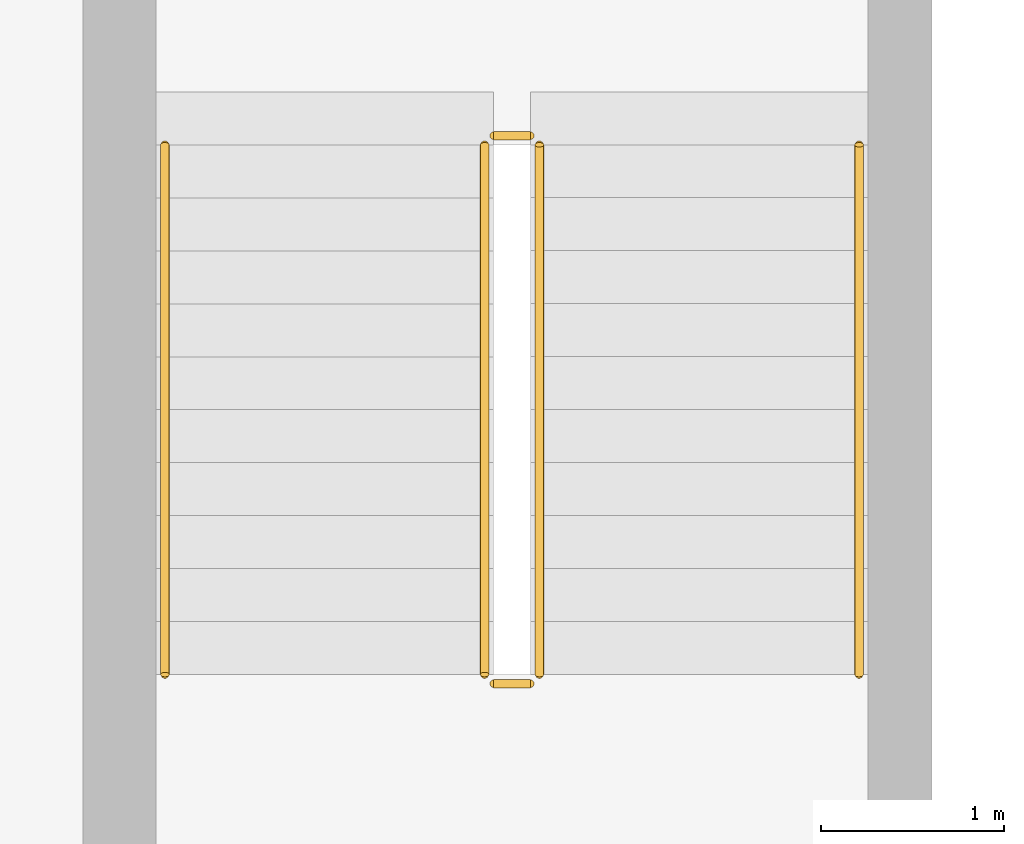
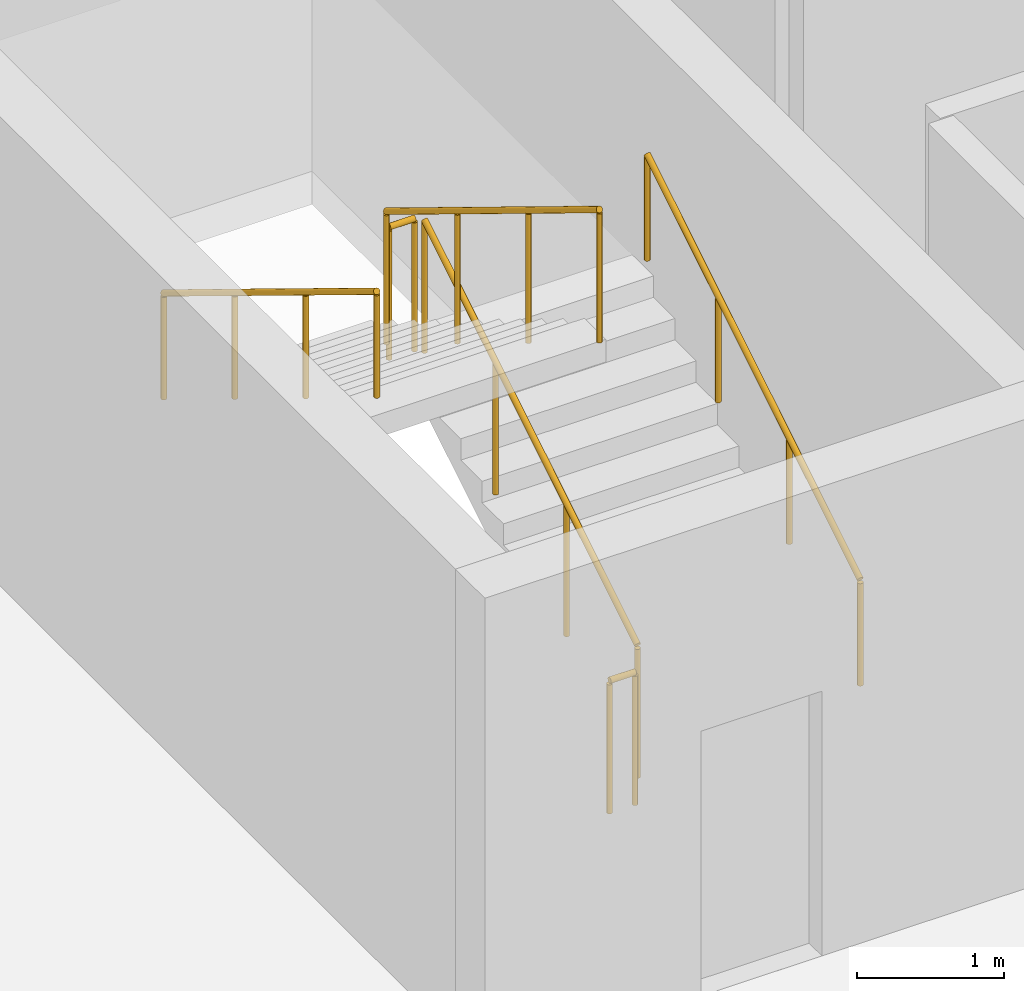
# One storey, part 44 of 46: 6 railings.
"""IFC4 building model written with IfcOpenShell, lengths in metres."""

from ifc_helpers import new_model, si_unit, direction, frame, origin, origin_2d, place, context, subcontext, project, spatial, circle, extrude, material, type_object, element, save


model = new_model("IFC4")

# Units and contexts
model_context = context("Model", 3, precision=1e-05, world=origin(), true_north=direction((0.0, 1.0)))
body_context = subcontext(model_context, "Body", "Model", "MODEL_VIEW")
ifc_project = project(units=[si_unit("LENGTHUNIT", "METRE"), si_unit("AREAUNIT", "SQUARE_METRE"), si_unit("VOLUMEUNIT", "CUBIC_METRE"), si_unit("PLANEANGLEUNIT", "RADIAN"), si_unit("MASSUNIT", "GRAM", prefix="KILO")], contexts=[model_context])

# Site, building, storey
site_placement = place(None, origin())
site = spatial("IfcSite", under=ifc_project, at=site_placement, CompositionType="ELEMENT")
building_placement = place(site_placement, origin())
building = spatial("IfcBuilding", under=site, at=building_placement, Name="Sollismere Congress Hotel", CompositionType="ELEMENT")
storey_placement = place(building_placement, frame((0.0, 0.0, 19.5)))
storey = spatial("IfcBuildingStorey", under=building, at=storey_placement, Name="L04", CompositionType="ELEMENT", Elevation=19.5)

# Railings
ifc_material_1 = material(Name="Steel ASTM A500 Grade C", Category="steel")
railing_type_1 = type_object("IfcRailingType", Name="RL-GRD112", PredefinedType="GUARDRAIL", material=ifc_material_1)
railing_1_placement = place(storey_placement, frame((78.699951171875, 78.449951171875, 0.17724609375)))
element("IfcRailing", 1, at=railing_1_placement, inside=storey, type_object=railing_type_1, Name="RLG-RG-ST-04-L04-1", PredefinedType="GUARDRAIL", context=body_context, shape_type="SweptSolid", body=[
    extrude(circle(Radius=0.02392578125, at=origin_2d()), frame((0.0, 0.0, 1.09619140625), z_axis=(0.0, 0.853230340181, 0.521534262148), x_axis=(-1.0, 0.0, 0.0)), (0.0, 0.0, 1.0), 3.39892578125),
    extrude(circle(Radius=0.02099609375, at=origin_2d()), origin(), (0.0, 0.0, 1.0), 1.072021484375),
    extrude(circle(Radius=0.02099609375, at=origin_2d()), frame((0.0, 0.966796875, 0.5908203125)), (0.0, 0.0, 1.0), 1.072021484375),
    extrude(circle(Radius=0.02099609375, at=origin_2d()), frame((0.0, 1.933349609375, 1.181884765625)), (0.0, 0.0, 1.0), 1.072021484375),
    extrude(circle(Radius=0.02099609375, at=origin_2d()), frame((0.0, 2.900146484375, 1.772705078125)), (0.0, 0.0, 1.0), 1.072021484375),
])
railing_2_placement = place(storey_placement, frame((78.64990234375, 81.39990234375, 1.949951171875)))
element("IfcRailing", 2, at=railing_2_placement, inside=storey, type_object=railing_type_1, Name="RLG-RG-ST-04-L04-2", PredefinedType="GUARDRAIL", context=body_context, shape_type="SweptSolid", body=[
    extrude(circle(Radius=0.02392578125, at=origin_2d()), frame((0.0, 0.0, 1.09619140625), z_axis=(-1.0, 0.0, 0.0), x_axis=(0.0, -1.0, 0.0)), (0.0, 0.0, 1.0), 0.199951171875),
    extrude(circle(Radius=0.02099609375, at=origin_2d()), origin(), (0.0, 0.0, 1.0), 1.072021484375),
    extrude(circle(Radius=0.02099609375, at=origin_2d()), frame((-0.199951171875, 0.0, 0.0)), (0.0, 0.0, 1.0), 1.072021484375),
])
railing_3_placement = place(storey_placement, frame((78.39990234375, 81.35009765625, 2.127197265625)))
element("IfcRailing", 3, at=railing_3_placement, inside=storey, type_object=railing_type_1, Name="RLG-RG-ST-04-L04-3", PredefinedType="GUARDRAIL", context=body_context, shape_type="SweptSolid", body=[
    extrude(circle(Radius=0.02392578125, at=origin_2d()), frame((0.0, 0.0, 1.09619140625), z_axis=(0.0, -0.853230340181, 0.521534262148), x_axis=(1.0, 0.0, 0.0)), (0.0, 0.0, 1.0), 3.39892578125),
    extrude(circle(Radius=0.02099609375, at=origin_2d()), origin(), (0.0, 0.0, 1.0), 1.072021484375),
    extrude(circle(Radius=0.02099609375, at=origin_2d()), frame((0.0, -0.966796875, 0.5908203125)), (0.0, 0.0, 1.0), 1.072021484375),
    extrude(circle(Radius=0.02099609375, at=origin_2d()), frame((0.0, -1.933349609375, 1.181884765625)), (0.0, 0.0, 1.0), 1.072021484375),
    extrude(circle(Radius=0.02099609375, at=origin_2d()), frame((0.0, -2.900146484375, 1.772705078125)), (0.0, 0.0, 1.0), 1.072021484375),
])
railing_4_placement = place(storey_placement, frame((78.64990234375, 78.39990234375, 0.0)))
element("IfcRailing", 4, at=railing_4_placement, inside=storey, type_object=railing_type_1, Name="RLG-RG-ST-04-L04-4", PredefinedType="GUARDRAIL", context=body_context, shape_type="SweptSolid", body=[
    extrude(circle(Radius=0.02392578125, at=origin_2d()), frame((0.0, 0.0, 1.09619140625), z_axis=(-1.0, 0.0, 0.0), x_axis=(0.0, -1.0, 0.0)), (0.0, 0.0, 1.0), 0.199951171875),
    extrude(circle(Radius=0.02099609375, at=origin_2d()), origin(), (0.0, 0.0, 1.0), 1.072021484375),
    extrude(circle(Radius=0.02099609375, at=origin_2d()), frame((-0.199951171875, 0.0, 0.0)), (0.0, 0.0, 1.0), 1.072021484375),
])
ifc_material_2 = material(Name="Brushed Architectural Bronze")
railing_type_2 = type_object("IfcRailingType", Name="RL-HND90", PredefinedType="HANDRAIL", material=ifc_material_2)
railing_5_placement = place(storey_placement, frame((80.449951171875, 78.449951171875, 0.33056640625)))
element("IfcRailing", 5, at=railing_5_placement, inside=storey, type_object=railing_type_2, Name="RLG-RH-ST-04-L04-1", PredefinedType="HANDRAIL", context=body_context, shape_type="SweptSolid", body=[
    extrude(circle(Radius=0.02392578125, at=origin_2d()), frame((0.0, 0.0, 0.8759765625), z_axis=(0.0, 0.853230340181, 0.521534262148), x_axis=(-1.0, 0.0, 0.0)), (0.0, 0.0, 1.0), 3.39892578125),
    extrude(circle(Radius=0.02099609375, at=origin_2d()), origin(), (0.0, 0.0, 1.0), 0.851806640625),
    extrude(circle(Radius=0.02099609375, at=origin_2d()), frame((0.0, 0.966796875, 0.5908203125)), (0.0, 0.0, 1.0), 0.851806640625),
    extrude(circle(Radius=0.02099609375, at=origin_2d()), frame((0.0, 1.933349609375, 1.181884765625)), (0.0, 0.0, 1.0), 0.851806640625),
    extrude(circle(Radius=0.02099609375, at=origin_2d()), frame((0.0, 2.900146484375, 1.772705078125)), (0.0, 0.0, 1.0), 0.851806640625),
])
railing_6_placement = place(storey_placement, frame((76.64990234375, 81.35009765625, 2.280517578125)))
element("IfcRailing", 6, at=railing_6_placement, inside=storey, type_object=railing_type_2, Name="RLG-RH-ST-04-L04-2", PredefinedType="HANDRAIL", context=body_context, shape_type="SweptSolid", body=[
    extrude(circle(Radius=0.02392578125, at=origin_2d()), frame((0.0, 0.0, 0.8759765625), z_axis=(0.0, -0.853230340181, 0.521534262148), x_axis=(1.0, 0.0, 0.0)), (0.0, 0.0, 1.0), 3.39892578125),
    extrude(circle(Radius=0.02099609375, at=origin_2d()), origin(), (0.0, 0.0, 1.0), 0.851806640625),
    extrude(circle(Radius=0.02099609375, at=origin_2d()), frame((0.0, -0.966796875, 0.5908203125)), (0.0, 0.0, 1.0), 0.851806640625),
    extrude(circle(Radius=0.02099609375, at=origin_2d()), frame((0.0, -1.933349609375, 1.181884765625)), (0.0, 0.0, 1.0), 0.851806640625),
    extrude(circle(Radius=0.02099609375, at=origin_2d()), frame((0.0, -2.900146484375, 1.772705078125)), (0.0, 0.0, 1.0), 0.851806640625),
])

save(model, "model.ifc")
